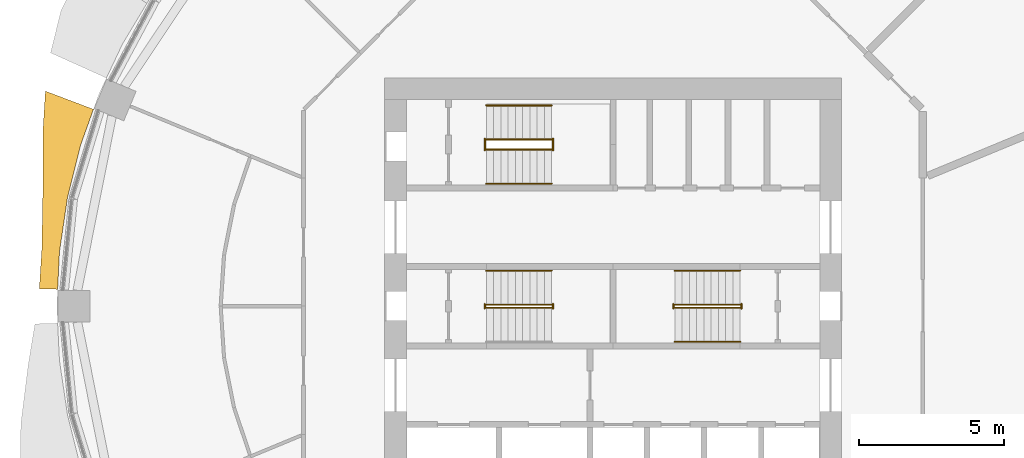
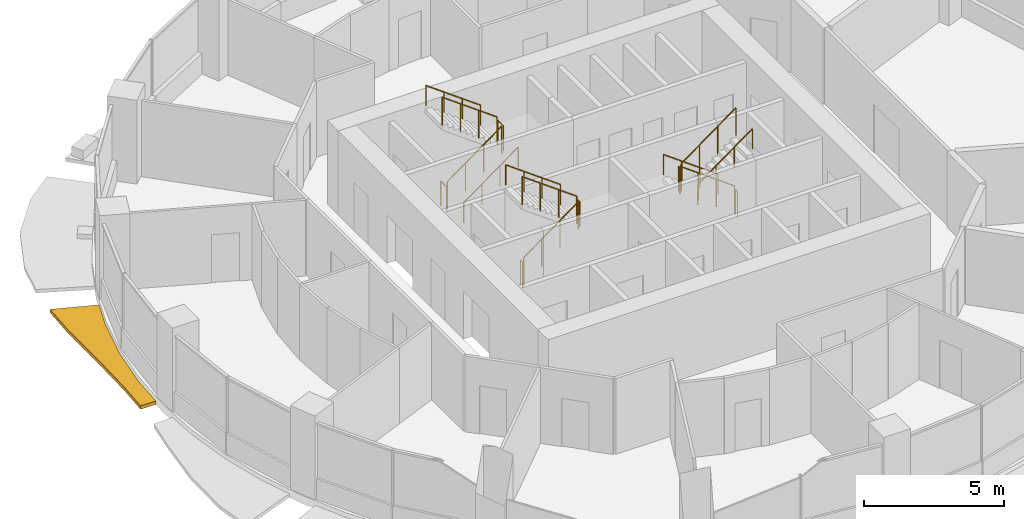
# One storey, part 12 of 14: 17 railings, 1 shading device.
"""IFC4 building model written with IfcOpenShell, lengths in metres."""

from ifc_helpers import new_model, si_unit, direction, frame, origin, origin_2d, place, context, subcontext, project, spatial, polyline, circle, outline, extrude, material, type_object, element, save


model = new_model("IFC4")

# Units and contexts
model_context = context("Model", 3, precision=1e-05, world=origin(), true_north=direction((0.0, 1.0)))
body_context = subcontext(model_context, "Body", "Model", "MODEL_VIEW")
ifc_project = project(units=[si_unit("LENGTHUNIT", "METRE"), si_unit("AREAUNIT", "SQUARE_METRE"), si_unit("VOLUMEUNIT", "CUBIC_METRE"), si_unit("PLANEANGLEUNIT", "RADIAN"), si_unit("MASSUNIT", "GRAM", prefix="KILO")], contexts=[model_context])

# Site, building, storey
site_placement = place(None, origin())
site = spatial("IfcSite", under=ifc_project, at=site_placement, CompositionType="ELEMENT")
building_placement = place(site_placement, origin())
building = spatial("IfcBuilding", under=site, at=building_placement, Name="Polderwave Tower", CompositionType="ELEMENT")
storey_placement = place(building_placement, frame((0.0, 0.0, 109.25)))
storey = spatial("IfcBuildingStorey", under=building, at=storey_placement, Name="L28", CompositionType="ELEMENT", Elevation=109.25)

# Railings
ifc_material_1 = material(Name="Stainless steel", Category="steel")
railing_type_1 = type_object("IfcRailingType", Name="Stair guard 1100", PredefinedType="GUARDRAIL", material=ifc_material_1)
railing_1_placement = place(storey_placement, frame((-4.3740234375, -0.051025390625, 0.0625)))
element("IfcRailing", 1, at=railing_1_placement, inside=storey, type_object=railing_type_1, Name="L28 ST-A stair guard 1", PredefinedType="GUARDRAIL", context=body_context, shape_type="SweptSolid", body=[
    extrude(circle(Radius=0.02392578125, at=origin_2d()), frame((0.0, 0.0, 1.1962890625), z_axis=(0.807715371301, 0.0, 0.589572623995), x_axis=(0.0, 1.0, 0.0)), (0.0, 0.0, 1.0), 2.78564453125),
    extrude(circle(Radius=0.02392578125, at=origin_2d()), origin(), (0.0, 0.0, 1.0), 1.172119140625),
    extrude(circle(Radius=0.02392578125, at=origin_2d()), frame((0.75, 0.0, 0.54736328125)), (0.0, 0.0, 1.0), 1.172119140625),
    extrude(circle(Radius=0.02392578125, at=origin_2d()), frame((1.5, 0.0, 1.094970703125)), (0.0, 0.0, 1.0), 1.172119140625),
    extrude(circle(Radius=0.02392578125, at=origin_2d()), frame((2.25, 0.0, 1.642333984375)), (0.0, 0.0, 1.0), 1.172119140625),
])
railing_2_placement = place(storey_placement, frame((-2.073974609375, -0.074951171875, 1.824951171875)))
element("IfcRailing", 2, at=railing_2_placement, inside=storey, type_object=railing_type_1, Name="L28 ST-A stair guard 2", PredefinedType="GUARDRAIL", context=body_context, shape_type="SweptSolid", body=[
    extrude(circle(Radius=0.02392578125, at=origin_2d()), frame((0.0, 0.0, 1.076171875), z_axis=(0.0, 1.0, 0.0), x_axis=(-1.0, 0.0, 0.0)), (0.0, 0.0, 1.0), 0.14990234375),
    extrude(circle(Radius=0.02099609375, at=origin_2d()), origin(), (0.0, 0.0, 1.0), 1.052001953125),
    extrude(circle(Radius=0.02099609375, at=origin_2d()), frame((0.0, 0.14990234375, 0.0)), (0.0, 0.0, 1.0), 1.052001953125),
])
railing_3_placement = place(storey_placement, frame((-2.1240234375, 0.051025390625, 1.887451171875)))
element("IfcRailing", 3, at=railing_3_placement, inside=storey, type_object=railing_type_1, Name="L28 ST-A stair guard 3", PredefinedType="GUARDRAIL", context=body_context, shape_type="SweptSolid", body=[
    extrude(circle(Radius=0.02392578125, at=origin_2d()), frame((0.0, 0.0, 1.1962890625), z_axis=(-0.807715371301, 0.0, 0.589572623995), x_axis=(0.0, -1.0, 0.0)), (0.0, 0.0, 1.0), 2.78564453125),
    extrude(circle(Radius=0.02392578125, at=origin_2d()), origin(), (0.0, 0.0, 1.0), 1.172119140625),
    extrude(circle(Radius=0.02392578125, at=origin_2d()), frame((-0.75, 0.0, 0.54736328125)), (0.0, 0.0, 1.0), 1.172119140625),
    extrude(circle(Radius=0.02392578125, at=origin_2d()), frame((-1.5, 0.0, 1.094970703125)), (0.0, 0.0, 1.0), 1.172119140625),
    extrude(circle(Radius=0.02392578125, at=origin_2d()), frame((-2.25, 0.0, 1.642333984375)), (0.0, 0.0, 1.0), 1.172119140625),
])
railing_4_placement = place(storey_placement, frame((-4.424072265625, -0.074951171875, 0.0)))
element("IfcRailing", 4, at=railing_4_placement, inside=storey, type_object=railing_type_1, Name="L28 ST-A stair guard 4", PredefinedType="GUARDRAIL", context=body_context, shape_type="SweptSolid", body=[
    extrude(circle(Radius=0.02392578125, at=origin_2d()), frame((0.0, 0.0, 1.076171875), z_axis=(0.0, 1.0, 0.0), x_axis=(-1.0, 0.0, 0.0)), (0.0, 0.0, 1.0), 0.14990234375),
    extrude(circle(Radius=0.02099609375, at=origin_2d()), origin(), (0.0, 0.0, 1.0), 1.052001953125),
    extrude(circle(Radius=0.02099609375, at=origin_2d()), frame((0.0, 0.14990234375, 0.0)), (0.0, 0.0, 1.0), 1.052001953125),
])
railing_5_placement = place(storey_placement, frame((4.3740234375, 0.051025390625, 0.0625)))
element("IfcRailing", 5, at=railing_5_placement, inside=storey, type_object=railing_type_1, Name="L28 ST-B stair guard 1", PredefinedType="GUARDRAIL", context=body_context, shape_type="SweptSolid", body=[
    extrude(circle(Radius=0.02392578125, at=origin_2d()), frame((0.0, 0.0, 1.1962890625), z_axis=(-0.807715371301, 0.0, 0.589572623995), x_axis=(0.0, -1.0, 0.0)), (0.0, 0.0, 1.0), 2.78564453125),
    extrude(circle(Radius=0.02392578125, at=origin_2d()), origin(), (0.0, 0.0, 1.0), 1.172119140625),
    extrude(circle(Radius=0.02392578125, at=origin_2d()), frame((-0.75, 0.0, 0.54736328125)), (0.0, 0.0, 1.0), 1.172119140625),
    extrude(circle(Radius=0.02392578125, at=origin_2d()), frame((-1.5, 0.0, 1.094970703125)), (0.0, 0.0, 1.0), 1.172119140625),
    extrude(circle(Radius=0.02392578125, at=origin_2d()), frame((-2.25, 0.0, 1.642333984375)), (0.0, 0.0, 1.0), 1.172119140625),
])
railing_6_placement = place(storey_placement, frame((2.073974609375, 0.074951171875, 1.824951171875)))
element("IfcRailing", 6, at=railing_6_placement, inside=storey, type_object=railing_type_1, Name="L28 ST-B stair guard 2", PredefinedType="GUARDRAIL", context=body_context, shape_type="SweptSolid", body=[
    extrude(circle(Radius=0.02392578125, at=origin_2d()), frame((0.0, 0.0, 1.076171875), z_axis=(0.0, -1.0, 0.0), x_axis=(1.0, 0.0, 0.0)), (0.0, 0.0, 1.0), 0.14990234375),
    extrude(circle(Radius=0.02099609375, at=origin_2d()), origin(), (0.0, 0.0, 1.0), 1.052001953125),
    extrude(circle(Radius=0.02099609375, at=origin_2d()), frame((0.0, -0.14990234375, 0.0)), (0.0, 0.0, 1.0), 1.052001953125),
])
railing_7_placement = place(storey_placement, frame((2.1240234375, -0.051025390625, 1.887451171875)))
element("IfcRailing", 7, at=railing_7_placement, inside=storey, type_object=railing_type_1, Name="L28 ST-B stair guard 3", PredefinedType="GUARDRAIL", context=body_context, shape_type="SweptSolid", body=[
    extrude(circle(Radius=0.02392578125, at=origin_2d()), frame((0.0, 0.0, 1.1962890625), z_axis=(0.807715371301, 0.0, 0.589572623995), x_axis=(0.0, 1.0, 0.0)), (0.0, 0.0, 1.0), 2.78564453125),
    extrude(circle(Radius=0.02392578125, at=origin_2d()), origin(), (0.0, 0.0, 1.0), 1.172119140625),
    extrude(circle(Radius=0.02392578125, at=origin_2d()), frame((0.75, 0.0, 0.54736328125)), (0.0, 0.0, 1.0), 1.172119140625),
    extrude(circle(Radius=0.02392578125, at=origin_2d()), frame((1.5, 0.0, 1.094970703125)), (0.0, 0.0, 1.0), 1.172119140625),
    extrude(circle(Radius=0.02392578125, at=origin_2d()), frame((2.25, 0.0, 1.642333984375)), (0.0, 0.0, 1.0), 1.172119140625),
])
railing_8_placement = place(storey_placement, frame((4.424072265625, 0.074951171875, 0.0)))
element("IfcRailing", 8, at=railing_8_placement, inside=storey, type_object=railing_type_1, Name="L28 ST-B stair guard 4", PredefinedType="GUARDRAIL", context=body_context, shape_type="SweptSolid", body=[
    extrude(circle(Radius=0.02392578125, at=origin_2d()), frame((0.0, 0.0, 1.076171875), z_axis=(0.0, -1.0, 0.0), x_axis=(1.0, 0.0, 0.0)), (0.0, 0.0, 1.0), 0.14990234375),
    extrude(circle(Radius=0.02099609375, at=origin_2d()), origin(), (0.0, 0.0, 1.0), 1.052001953125),
    extrude(circle(Radius=0.02099609375, at=origin_2d()), frame((0.0, -0.14990234375, 0.0)), (0.0, 0.0, 1.0), 1.052001953125),
])
railing_9_placement = place(storey_placement, frame((-4.3740234375, 5.39794921875, 0.0625)))
element("IfcRailing", 9, at=railing_9_placement, inside=storey, type_object=railing_type_1, Name="L28 ST-C stair guard 1", PredefinedType="GUARDRAIL", context=body_context, shape_type="SweptSolid", body=[
    extrude(circle(Radius=0.02392578125, at=origin_2d()), frame((0.0, 0.0, 1.1962890625), z_axis=(0.807715371301, 0.0, 0.589572623995), x_axis=(0.0, 1.0, 0.0)), (0.0, 0.0, 1.0), 2.78564453125),
    extrude(circle(Radius=0.02392578125, at=origin_2d()), origin(), (0.0, 0.0, 1.0), 1.172119140625),
    extrude(circle(Radius=0.02392578125, at=origin_2d()), frame((0.75, 0.0, 0.54736328125)), (0.0, 0.0, 1.0), 1.172119140625),
    extrude(circle(Radius=0.02392578125, at=origin_2d()), frame((1.5, 0.0, 1.094970703125)), (0.0, 0.0, 1.0), 1.172119140625),
    extrude(circle(Radius=0.02392578125, at=origin_2d()), frame((2.25, 0.0, 1.642333984375)), (0.0, 0.0, 1.0), 1.172119140625),
])
railing_10_placement = place(storey_placement, frame((-2.073974609375, 5.3740234375, 1.824951171875)))
element("IfcRailing", 10, at=railing_10_placement, inside=storey, type_object=railing_type_1, Name="L28 ST-C stair guard 2", PredefinedType="GUARDRAIL", context=body_context, shape_type="SweptSolid", body=[
    extrude(circle(Radius=0.02392578125, at=origin_2d()), frame((0.0, 0.0, 1.076171875), z_axis=(0.0, 1.0, 0.0), x_axis=(-1.0, 0.0, 0.0)), (0.0, 0.0, 1.0), 0.39990234375),
    extrude(circle(Radius=0.02099609375, at=origin_2d()), origin(), (0.0, 0.0, 1.0), 1.052001953125),
    extrude(circle(Radius=0.02099609375, at=origin_2d()), frame((0.0, 0.39990234375, 0.0)), (0.0, 0.0, 1.0), 1.052001953125),
])
railing_11_placement = place(storey_placement, frame((-2.1240234375, 5.75, 1.887451171875)))
element("IfcRailing", 11, at=railing_11_placement, inside=storey, type_object=railing_type_1, Name="L28 ST-C stair guard 3", PredefinedType="GUARDRAIL", context=body_context, shape_type="SweptSolid", body=[
    extrude(circle(Radius=0.02392578125, at=origin_2d()), frame((0.0, 0.0, 1.1962890625), z_axis=(-0.807715371301, 0.0, 0.589572623995), x_axis=(0.0, -1.0, 0.0)), (0.0, 0.0, 1.0), 2.78564453125),
    extrude(circle(Radius=0.02392578125, at=origin_2d()), origin(), (0.0, 0.0, 1.0), 1.172119140625),
    extrude(circle(Radius=0.02392578125, at=origin_2d()), frame((-0.75, 0.0, 0.54736328125)), (0.0, 0.0, 1.0), 1.172119140625),
    extrude(circle(Radius=0.02392578125, at=origin_2d()), frame((-1.5, 0.0, 1.094970703125)), (0.0, 0.0, 1.0), 1.172119140625),
    extrude(circle(Radius=0.02392578125, at=origin_2d()), frame((-2.25, 0.0, 1.642333984375)), (0.0, 0.0, 1.0), 1.172119140625),
])
railing_12_placement = place(storey_placement, frame((-4.424072265625, 5.3740234375, 0.0)))
element("IfcRailing", 12, at=railing_12_placement, inside=storey, type_object=railing_type_1, Name="L28 ST-C stair guard 4", PredefinedType="GUARDRAIL", context=body_context, shape_type="SweptSolid", body=[
    extrude(circle(Radius=0.02392578125, at=origin_2d()), frame((0.0, 0.0, 1.076171875), z_axis=(0.0, 1.0, 0.0), x_axis=(-1.0, 0.0, 0.0)), (0.0, 0.0, 1.0), 0.39990234375),
    extrude(circle(Radius=0.02099609375, at=origin_2d()), origin(), (0.0, 0.0, 1.0), 1.052001953125),
    extrude(circle(Radius=0.02099609375, at=origin_2d()), frame((0.0, 0.39990234375, 0.0)), (0.0, 0.0, 1.0), 1.052001953125),
])
railing_type_2 = type_object("IfcRailingType", Name="Stair handrail 900", PredefinedType="HANDRAIL", material=ifc_material_1)
for number, where, name in (
    (13, (-2.1240234375, 1.22509765625, 2.007568359375), "L28 ST-A stair handrail 2"),
    (14, (4.3740234375, 1.22509765625, 0.1826171875), "L28 ST-B stair handrail 1"),
):
    element("IfcRailing", number, at=place(storey_placement, frame(where)), inside=storey, type_object=railing_type_2, Name=name, PredefinedType="HANDRAIL", context=body_context, shape_type="SweptSolid", body=[
        extrude(circle(Radius=0.02392578125, at=origin_2d()), frame((0.0, 0.0, 0.8759765625), z_axis=(-0.807715371301, 0.0, 0.589572623995), x_axis=(0.0, -1.0, 0.0)), (0.0, 0.0, 1.0), 2.78564453125),
        extrude(circle(Radius=0.02099609375, at=origin_2d()), origin(), (0.0, 0.0, 1.0), 0.851806640625),
        extrude(circle(Radius=0.02099609375, at=origin_2d()), frame((-0.75, 0.0, 0.54736328125)), (0.0, 0.0, 1.0), 0.851806640625),
        extrude(circle(Radius=0.02099609375, at=origin_2d()), frame((-1.5, 0.0, 1.094970703125)), (0.0, 0.0, 1.0), 0.851806640625),
        extrude(circle(Radius=0.02099609375, at=origin_2d()), frame((-2.25, 0.0, 1.642333984375)), (0.0, 0.0, 1.0), 0.851806640625),
    ])
for number, where, name in (
    (15, (2.1240234375, -1.22509765625, 2.007568359375), "L28 ST-B stair handrail 2"),
    (16, (-4.3740234375, 4.22412109375, 0.1826171875), "L28 ST-C stair handrail 1"),
):
    element("IfcRailing", number, at=place(storey_placement, frame(where)), inside=storey, type_object=railing_type_2, Name=name, PredefinedType="HANDRAIL", context=body_context, shape_type="SweptSolid", body=[
        extrude(circle(Radius=0.02392578125, at=origin_2d()), frame((0.0, 0.0, 0.8759765625), z_axis=(0.807715371301, 0.0, 0.589572623995), x_axis=(0.0, 1.0, 0.0)), (0.0, 0.0, 1.0), 2.78564453125),
        extrude(circle(Radius=0.02099609375, at=origin_2d()), origin(), (0.0, 0.0, 1.0), 0.851806640625),
        extrude(circle(Radius=0.02099609375, at=origin_2d()), frame((0.75, 0.0, 0.54736328125)), (0.0, 0.0, 1.0), 0.851806640625),
        extrude(circle(Radius=0.02099609375, at=origin_2d()), frame((1.5, 0.0, 1.094970703125)), (0.0, 0.0, 1.0), 0.851806640625),
        extrude(circle(Radius=0.02099609375, at=origin_2d()), frame((2.25, 0.0, 1.642333984375)), (0.0, 0.0, 1.0), 0.851806640625),
    ])
railing_13_placement = place(storey_placement, frame((-2.1240234375, 6.924072265625, 2.007568359375)))
element("IfcRailing", 17, at=railing_13_placement, inside=storey, type_object=railing_type_2, Name="L28 ST-C stair handrail 2", PredefinedType="HANDRAIL", context=body_context, shape_type="SweptSolid", body=[
    extrude(circle(Radius=0.02392578125, at=origin_2d()), frame((0.0, 0.0, 0.8759765625), z_axis=(-0.807715371301, 0.0, 0.589572623995), x_axis=(0.0, -1.0, 0.0)), (0.0, 0.0, 1.0), 2.78564453125),
    extrude(circle(Radius=0.02099609375, at=origin_2d()), origin(), (0.0, 0.0, 1.0), 0.851806640625),
    extrude(circle(Radius=0.02099609375, at=origin_2d()), frame((-0.75, 0.0, 0.54736328125)), (0.0, 0.0, 1.0), 0.851806640625),
    extrude(circle(Radius=0.02099609375, at=origin_2d()), frame((-1.5, 0.0, 1.094970703125)), (0.0, 0.0, 1.0), 0.851806640625),
    extrude(circle(Radius=0.02099609375, at=origin_2d()), frame((-2.25, 0.0, 1.642333984375)), (0.0, 0.0, 1.0), 0.851806640625),
])

# Shading device
ifc_material_2 = material(Name="Terracotta", Category="masonry")
shading_device_type = type_object("IfcShadingDeviceType", Name="Terracotta sunshade band", PredefinedType="USERDEFINED", material=ifc_material_2)
shading_device_placement = place(storey_placement, frame((0.0, 0.0, -0.35009765625)))
element("IfcShadingDevice", 18, at=shading_device_placement, inside=storey, type_object=shading_device_type, Name="Sunshade band L28 8", ObjectType="SUNSHADE", PredefinedType="USERDEFINED", context=body_context, shape_type="SweptSolid", body=[
    extrude(outline(polyline([(-17.9169921875, 6.789306640625), (-18.35400390625, 5.567626953125), (-18.8115234375, 3.74169921875), (-19.087646484375, 1.8798828125), (-19.1513671875, 0.584228515625), (-19.781982421875, 0.603515625), (-19.697021484375, 1.93994140625), (-19.660400390625, 3.91064453125), (-19.66162109375, 5.964111328125), (-19.571533203125, 7.416015625), (-17.9169921875, 6.789306640625)])), origin(), (0.0, 0.0, 1.0), 0.150146484375),
])

save(model, "model.ifc")
